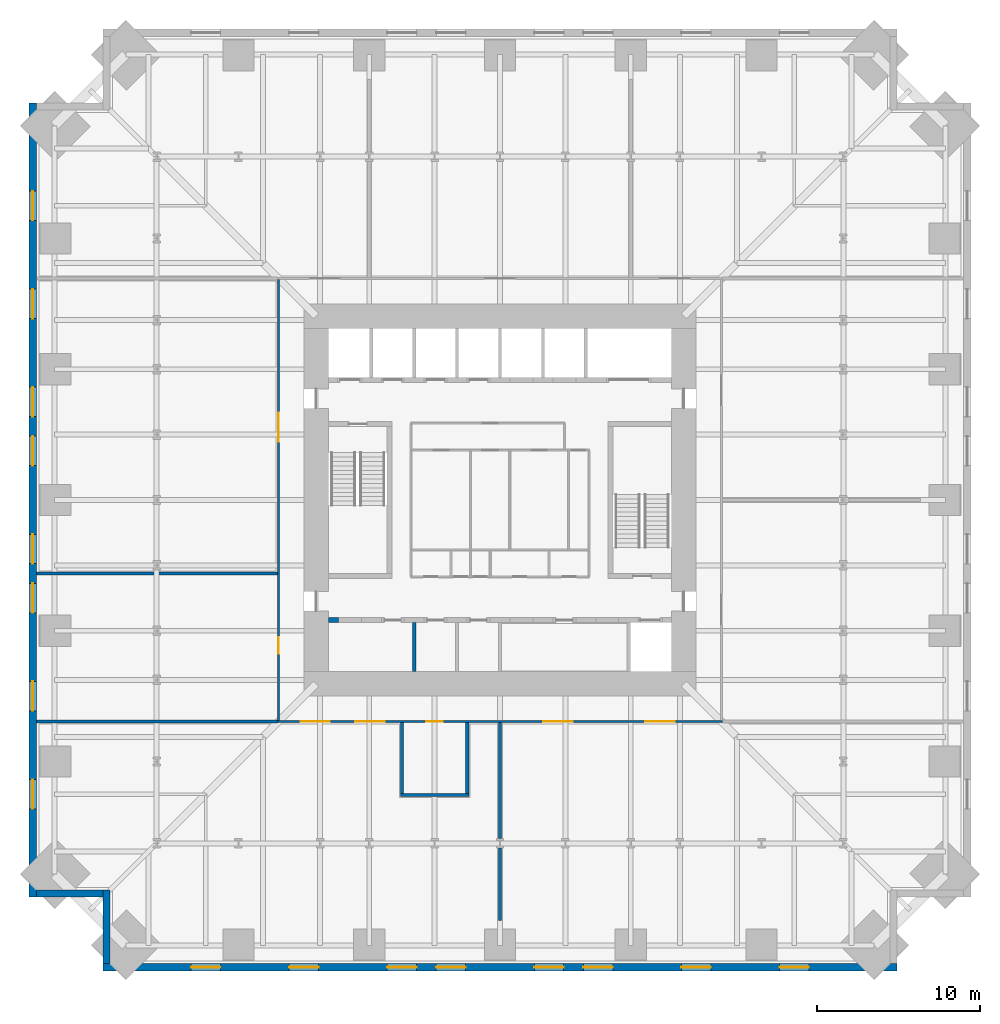
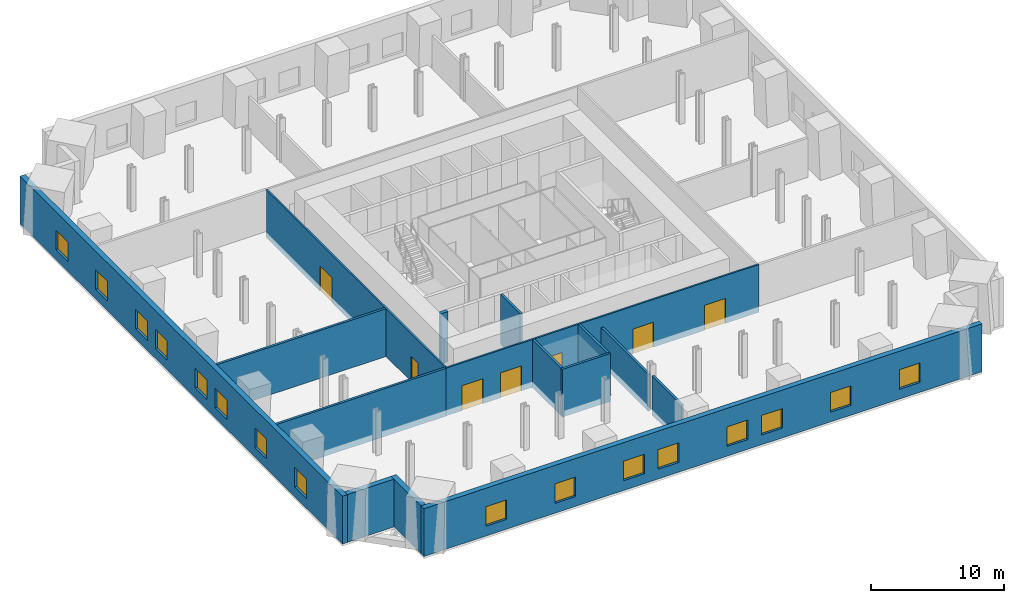
# One storey, part 3 of 8: 16 windows, 15 walls, 7 doors, 23 openings.
"""IFC4 building model written with IfcOpenShell, lengths in metres."""

from ifc_helpers import new_model, si_unit, direction, frame, frame_2d, origin, place, context, subcontext, project, spatial, rectangle, extrude, material, layer, layer_set, type_object, element, fill, save


model = new_model("IFC4")

# Units and contexts
model_context = context("Model", 3, precision=1e-05, world=origin(), true_north=direction((0.0, 1.0)))
body_context = subcontext(model_context, "Body", "Model", "MODEL_VIEW")
ifc_project = project(units=[si_unit("LENGTHUNIT", "METRE"), si_unit("AREAUNIT", "SQUARE_METRE"), si_unit("VOLUMEUNIT", "CUBIC_METRE"), si_unit("PLANEANGLEUNIT", "RADIAN"), si_unit("MASSUNIT", "GRAM", prefix="KILO")], contexts=[model_context])

# Site, building, storey
site_placement = place(None, origin())
site = spatial("IfcSite", under=ifc_project, at=site_placement, CompositionType="ELEMENT")
building_placement = place(site_placement, origin())
building = spatial("IfcBuilding", under=site, at=building_placement, Name="Peilmerk Tower", CompositionType="ELEMENT")
storey_placement = place(building_placement, frame((0.0, 0.0, 90.60009765625)))
storey = spatial("IfcBuildingStorey", under=building, at=storey_placement, Name="L17", CompositionType="ELEMENT", Elevation=90.60009765625)

# Wall, openings, windows
ifc_material_1 = material(Name="Precast concrete C45/55, board-marked finish", Category="concrete")
ifc_layer_1 = layer(ifc_material_1, 0.449951171875)
ifc_layer_set_1 = layer_set([ifc_layer_1], Name="Precast concrete C45/55, board-marked finish")
wall_type_1 = type_object("IfcWallType", Name="EW1 450 precast concrete facade wall, board-marked", PredefinedType="SOLIDWALL", material=ifc_layer_set_1)
wall_1_placement = place(storey_placement, frame((-24.300048828125, -28.574951171875, 0.0), z_axis=(0.0, 0.0, 1.0), x_axis=(1.0, 0.0, 0.0)))
wall_1 = element("IfcWall", 1, at=wall_1_placement, inside=storey, type_object=wall_type_1, Name="Facade wall S L17", PredefinedType="SOLIDWALL", context=body_context, shape_type="SweptSolid", body=[
    extrude(rectangle(XDim=48.60009765625, YDim=0.449951171875, at=frame_2d((24.300048828125, 0.0))), origin(), (0.0, 0.0, 1.0), 4.39990234375),
])
opening_1_placement = place(wall_1_placement, frame((5.39990234375, 0.0, 0.89990234375)))
opening_1 = element("IfcOpeningElement", 2, at=opening_1_placement, cuts=wall_1, Name="Opening W3", PredefinedType="OPENING", context=body_context, shape_type="SweptSolid", body=[
    extrude(rectangle(XDim=1.800048828125, YDim=1.800048828125, at=frame_2d((0.89990234375, 0.89990234375))), frame((0.0, 0.23486328125, 0.0), z_axis=(0.0, -1.0, 0.0), x_axis=(1.0, 0.0, 0.0)), (0.0, 0.0, 1.0), 0.469970703125),
])
opening_2_placement = place(wall_1_placement, frame((11.39990234375, 0.0, 0.89990234375)))
opening_2 = element("IfcOpeningElement", 3, at=opening_2_placement, cuts=wall_1, Name="Opening W3", PredefinedType="OPENING", context=body_context, shape_type="SweptSolid", body=[
    extrude(rectangle(XDim=1.800048828125, YDim=1.800048828125, at=frame_2d((0.89990234375, 0.89990234375))), frame((0.0, 0.23486328125, 0.0), z_axis=(0.0, -1.0, 0.0), x_axis=(1.0, 0.0, 0.0)), (0.0, 0.0, 1.0), 0.469970703125),
])
opening_3_placement = place(wall_1_placement, frame((17.39990234375, 0.0, 0.89990234375)))
opening_3 = element("IfcOpeningElement", 4, at=opening_3_placement, cuts=wall_1, Name="Opening W3", PredefinedType="OPENING", context=body_context, shape_type="SweptSolid", body=[
    extrude(rectangle(XDim=1.800048828125, YDim=1.800048828125, at=frame_2d((0.89990234375, 0.89990234375))), frame((0.0, 0.23486328125, 0.0), z_axis=(0.0, -1.0, 0.0), x_axis=(1.0, 0.0, 0.0)), (0.0, 0.0, 1.0), 0.469970703125),
])
opening_4_placement = place(wall_1_placement, frame((20.39990234375, 0.0, 0.89990234375)))
opening_4 = element("IfcOpeningElement", 5, at=opening_4_placement, cuts=wall_1, Name="Opening W3", PredefinedType="OPENING", context=body_context, shape_type="SweptSolid", body=[
    extrude(rectangle(XDim=1.800048828125, YDim=1.800048828125, at=frame_2d((0.89990234375, 0.89990234375))), frame((0.0, 0.23486328125, 0.0), z_axis=(0.0, -1.0, 0.0), x_axis=(1.0, 0.0, 0.0)), (0.0, 0.0, 1.0), 0.469970703125),
])
opening_5_placement = place(wall_1_placement, frame((26.39990234375, 0.0, 0.89990234375)))
opening_5 = element("IfcOpeningElement", 6, at=opening_5_placement, cuts=wall_1, Name="Opening W3", PredefinedType="OPENING", context=body_context, shape_type="SweptSolid", body=[
    extrude(rectangle(XDim=1.800048828125, YDim=1.800048828125, at=frame_2d((0.89990234375, 0.89990234375))), frame((0.0, 0.23486328125, 0.0), z_axis=(0.0, -1.0, 0.0), x_axis=(1.0, 0.0, 0.0)), (0.0, 0.0, 1.0), 0.469970703125),
])
opening_6_placement = place(wall_1_placement, frame((29.39990234375, 0.0, 0.89990234375)))
opening_6 = element("IfcOpeningElement", 7, at=opening_6_placement, cuts=wall_1, Name="Opening W3", PredefinedType="OPENING", context=body_context, shape_type="SweptSolid", body=[
    extrude(rectangle(XDim=1.800048828125, YDim=1.800048828125, at=frame_2d((0.89990234375, 0.89990234375))), frame((0.0, 0.23486328125, 0.0), z_axis=(0.0, -1.0, 0.0), x_axis=(1.0, 0.0, 0.0)), (0.0, 0.0, 1.0), 0.469970703125),
])
opening_7_placement = place(wall_1_placement, frame((35.39990234375, 0.0, 0.89990234375)))
opening_7 = element("IfcOpeningElement", 8, at=opening_7_placement, cuts=wall_1, Name="Opening W3", PredefinedType="OPENING", context=body_context, shape_type="SweptSolid", body=[
    extrude(rectangle(XDim=1.800048828125, YDim=1.800048828125, at=frame_2d((0.89990234375, 0.89990234375))), frame((0.0, 0.23486328125, 0.0), z_axis=(0.0, -1.0, 0.0), x_axis=(1.0, 0.0, 0.0)), (0.0, 0.0, 1.0), 0.469970703125),
])
opening_8_placement = place(wall_1_placement, frame((41.39990234375, 0.0, 0.89990234375)))
opening_8 = element("IfcOpeningElement", 9, at=opening_8_placement, cuts=wall_1, Name="Opening W3", PredefinedType="OPENING", context=body_context, shape_type="SweptSolid", body=[
    extrude(rectangle(XDim=1.800048828125, YDim=1.800048828125, at=frame_2d((0.89990234375, 0.89990234375))), frame((0.0, 0.23486328125, 0.0), z_axis=(0.0, -1.0, 0.0), x_axis=(1.0, 0.0, 0.0)), (0.0, 0.0, 1.0), 0.469970703125),
])
ifc_material_2 = material(Name="Aluminium frame, clear double glazing", Category="aluminium")
window_type = type_object("IfcWindowType", Name="W3 1800x1800 telecom floor window", PartitioningType="SINGLE_PANEL", PredefinedType="WINDOW", material=ifc_material_2)
window_1_placement = place(opening_1_placement, origin())
window_1 = element("IfcWindow", 10, at=window_1_placement, inside=storey, type_object=window_type, Name="Window W3 L17", OverallHeight=1.800048828125, OverallWidth=1.800048828125, PartitioningType="SINGLE_PANEL", PredefinedType="WINDOW", context=body_context, shape_type="SweptSolid", body=[
    extrude(rectangle(XDim=1.800048828125, YDim=1.800048828125, at=frame_2d((0.89990234375, 0.89990234375))), frame((0.0, 0.030029296875, 0.0), z_axis=(0.0, -1.0, 0.0), x_axis=(1.0, 0.0, 0.0)), (0.0, 0.0, 1.0), 0.06005859375),
])
fill(opening_1, window_1)
window_2_placement = place(opening_2_placement, origin())
window_2 = element("IfcWindow", 11, at=window_2_placement, inside=storey, type_object=window_type, Name="Window W3 L17", OverallHeight=1.800048828125, OverallWidth=1.800048828125, PartitioningType="SINGLE_PANEL", PredefinedType="WINDOW", context=body_context, shape_type="SweptSolid", body=[
    extrude(rectangle(XDim=1.800048828125, YDim=1.800048828125, at=frame_2d((0.89990234375, 0.89990234375))), frame((0.0, 0.030029296875, 0.0), z_axis=(0.0, -1.0, 0.0), x_axis=(1.0, 0.0, 0.0)), (0.0, 0.0, 1.0), 0.06005859375),
])
fill(opening_2, window_2)
window_3_placement = place(opening_3_placement, origin())
window_3 = element("IfcWindow", 12, at=window_3_placement, inside=storey, type_object=window_type, Name="Window W3 L17", OverallHeight=1.800048828125, OverallWidth=1.800048828125, PartitioningType="SINGLE_PANEL", PredefinedType="WINDOW", context=body_context, shape_type="SweptSolid", body=[
    extrude(rectangle(XDim=1.800048828125, YDim=1.800048828125, at=frame_2d((0.89990234375, 0.89990234375))), frame((0.0, 0.030029296875, 0.0), z_axis=(0.0, -1.0, 0.0), x_axis=(1.0, 0.0, 0.0)), (0.0, 0.0, 1.0), 0.06005859375),
])
fill(opening_3, window_3)
window_4_placement = place(opening_4_placement, origin())
window_4 = element("IfcWindow", 13, at=window_4_placement, inside=storey, type_object=window_type, Name="Window W3 L17", OverallHeight=1.800048828125, OverallWidth=1.800048828125, PartitioningType="SINGLE_PANEL", PredefinedType="WINDOW", context=body_context, shape_type="SweptSolid", body=[
    extrude(rectangle(XDim=1.800048828125, YDim=1.800048828125, at=frame_2d((0.89990234375, 0.89990234375))), frame((0.0, 0.030029296875, 0.0), z_axis=(0.0, -1.0, 0.0), x_axis=(1.0, 0.0, 0.0)), (0.0, 0.0, 1.0), 0.06005859375),
])
fill(opening_4, window_4)
window_5_placement = place(opening_5_placement, origin())
window_5 = element("IfcWindow", 14, at=window_5_placement, inside=storey, type_object=window_type, Name="Window W3 L17", OverallHeight=1.800048828125, OverallWidth=1.800048828125, PartitioningType="SINGLE_PANEL", PredefinedType="WINDOW", context=body_context, shape_type="SweptSolid", body=[
    extrude(rectangle(XDim=1.800048828125, YDim=1.800048828125, at=frame_2d((0.89990234375, 0.89990234375))), frame((0.0, 0.030029296875, 0.0), z_axis=(0.0, -1.0, 0.0), x_axis=(1.0, 0.0, 0.0)), (0.0, 0.0, 1.0), 0.06005859375),
])
fill(opening_5, window_5)
window_6_placement = place(opening_6_placement, origin())
window_6 = element("IfcWindow", 15, at=window_6_placement, inside=storey, type_object=window_type, Name="Window W3 L17", OverallHeight=1.800048828125, OverallWidth=1.800048828125, PartitioningType="SINGLE_PANEL", PredefinedType="WINDOW", context=body_context, shape_type="SweptSolid", body=[
    extrude(rectangle(XDim=1.800048828125, YDim=1.800048828125, at=frame_2d((0.89990234375, 0.89990234375))), frame((0.0, 0.030029296875, 0.0), z_axis=(0.0, -1.0, 0.0), x_axis=(1.0, 0.0, 0.0)), (0.0, 0.0, 1.0), 0.06005859375),
])
fill(opening_6, window_6)
window_7_placement = place(opening_7_placement, origin())
window_7 = element("IfcWindow", 16, at=window_7_placement, inside=storey, type_object=window_type, Name="Window W3 L17", OverallHeight=1.800048828125, OverallWidth=1.800048828125, PartitioningType="SINGLE_PANEL", PredefinedType="WINDOW", context=body_context, shape_type="SweptSolid", body=[
    extrude(rectangle(XDim=1.800048828125, YDim=1.800048828125, at=frame_2d((0.89990234375, 0.89990234375))), frame((0.0, 0.030029296875, 0.0), z_axis=(0.0, -1.0, 0.0), x_axis=(1.0, 0.0, 0.0)), (0.0, 0.0, 1.0), 0.06005859375),
])
fill(opening_7, window_7)
window_8_placement = place(opening_8_placement, origin())
window_8 = element("IfcWindow", 17, at=window_8_placement, inside=storey, type_object=window_type, Name="Window W3 L17", OverallHeight=1.800048828125, OverallWidth=1.800048828125, PartitioningType="SINGLE_PANEL", PredefinedType="WINDOW", context=body_context, shape_type="SweptSolid", body=[
    extrude(rectangle(XDim=1.800048828125, YDim=1.800048828125, at=frame_2d((0.89990234375, 0.89990234375))), frame((0.0, 0.030029296875, 0.0), z_axis=(0.0, -1.0, 0.0), x_axis=(1.0, 0.0, 0.0)), (0.0, 0.0, 1.0), 0.06005859375),
])
fill(opening_8, window_8)

wall_2_placement = place(storey_placement, frame((-28.574951171875, 24.300048828125, 0.0), z_axis=(0.0, 0.0, 1.0), x_axis=(0.0, -1.0, 0.0)))
wall_2 = element("IfcWall", 18, at=wall_2_placement, inside=storey, type_object=wall_type_1, Name="Facade wall W L17", PredefinedType="SOLIDWALL", context=body_context, shape_type="SweptSolid", body=[
    extrude(rectangle(XDim=48.60009765625, YDim=0.449951171875, at=frame_2d((24.300048828125, 0.0))), origin(), (0.0, 0.0, 1.0), 4.39990234375),
])
opening_9_placement = place(wall_2_placement, frame((5.39990234375, 0.0, 0.89990234375)))
opening_9 = element("IfcOpeningElement", 19, at=opening_9_placement, cuts=wall_2, Name="Opening W3", PredefinedType="OPENING", context=body_context, shape_type="SweptSolid", body=[
    extrude(rectangle(XDim=1.800048828125, YDim=1.800048828125, at=frame_2d((0.89990234375, 0.89990234375))), frame((0.0, 0.23486328125, 0.0), z_axis=(0.0, -1.0, 0.0), x_axis=(1.0, 0.0, 0.0)), (0.0, 0.0, 1.0), 0.469970703125),
])
opening_10_placement = place(wall_2_placement, frame((11.39990234375, 0.0, 0.89990234375)))
opening_10 = element("IfcOpeningElement", 20, at=opening_10_placement, cuts=wall_2, Name="Opening W3", PredefinedType="OPENING", context=body_context, shape_type="SweptSolid", body=[
    extrude(rectangle(XDim=1.800048828125, YDim=1.800048828125, at=frame_2d((0.89990234375, 0.89990234375))), frame((0.0, 0.23486328125, 0.0), z_axis=(0.0, -1.0, 0.0), x_axis=(1.0, 0.0, 0.0)), (0.0, 0.0, 1.0), 0.469970703125),
])
opening_11_placement = place(wall_2_placement, frame((17.39990234375, 0.0, 0.89990234375)))
opening_11 = element("IfcOpeningElement", 21, at=opening_11_placement, cuts=wall_2, Name="Opening W3", PredefinedType="OPENING", context=body_context, shape_type="SweptSolid", body=[
    extrude(rectangle(XDim=1.800048828125, YDim=1.800048828125, at=frame_2d((0.89990234375, 0.89990234375))), frame((0.0, 0.23486328125, 0.0), z_axis=(0.0, -1.0, 0.0), x_axis=(1.0, 0.0, 0.0)), (0.0, 0.0, 1.0), 0.469970703125),
])
opening_12_placement = place(wall_2_placement, frame((20.39990234375, 0.0, 0.89990234375)))
opening_12 = element("IfcOpeningElement", 22, at=opening_12_placement, cuts=wall_2, Name="Opening W3", PredefinedType="OPENING", context=body_context, shape_type="SweptSolid", body=[
    extrude(rectangle(XDim=1.800048828125, YDim=1.800048828125, at=frame_2d((0.89990234375, 0.89990234375))), frame((0.0, 0.23486328125, 0.0), z_axis=(0.0, -1.0, 0.0), x_axis=(1.0, 0.0, 0.0)), (0.0, 0.0, 1.0), 0.469970703125),
])
opening_13_placement = place(wall_2_placement, frame((26.39990234375, 0.0, 0.89990234375)))
opening_13 = element("IfcOpeningElement", 23, at=opening_13_placement, cuts=wall_2, Name="Opening W3", PredefinedType="OPENING", context=body_context, shape_type="SweptSolid", body=[
    extrude(rectangle(XDim=1.800048828125, YDim=1.800048828125, at=frame_2d((0.89990234375, 0.89990234375))), frame((0.0, 0.23486328125, 0.0), z_axis=(0.0, -1.0, 0.0), x_axis=(1.0, 0.0, 0.0)), (0.0, 0.0, 1.0), 0.469970703125),
])
opening_14_placement = place(wall_2_placement, frame((29.39990234375, 0.0, 0.89990234375)))
opening_14 = element("IfcOpeningElement", 24, at=opening_14_placement, cuts=wall_2, Name="Opening W3", PredefinedType="OPENING", context=body_context, shape_type="SweptSolid", body=[
    extrude(rectangle(XDim=1.800048828125, YDim=1.800048828125, at=frame_2d((0.89990234375, 0.89990234375))), frame((0.0, 0.23486328125, 0.0), z_axis=(0.0, -1.0, 0.0), x_axis=(1.0, 0.0, 0.0)), (0.0, 0.0, 1.0), 0.469970703125),
])
opening_15_placement = place(wall_2_placement, frame((35.39990234375, 0.0, 0.89990234375)))
opening_15 = element("IfcOpeningElement", 25, at=opening_15_placement, cuts=wall_2, Name="Opening W3", PredefinedType="OPENING", context=body_context, shape_type="SweptSolid", body=[
    extrude(rectangle(XDim=1.800048828125, YDim=1.800048828125, at=frame_2d((0.89990234375, 0.89990234375))), frame((0.0, 0.23486328125, 0.0), z_axis=(0.0, -1.0, 0.0), x_axis=(1.0, 0.0, 0.0)), (0.0, 0.0, 1.0), 0.469970703125),
])
opening_16_placement = place(wall_2_placement, frame((41.39990234375, 0.0, 0.89990234375)))
opening_16 = element("IfcOpeningElement", 26, at=opening_16_placement, cuts=wall_2, Name="Opening W3", PredefinedType="OPENING", context=body_context, shape_type="SweptSolid", body=[
    extrude(rectangle(XDim=1.800048828125, YDim=1.800048828125, at=frame_2d((0.89990234375, 0.89990234375))), frame((0.0, 0.23486328125, 0.0), z_axis=(0.0, -1.0, 0.0), x_axis=(1.0, 0.0, 0.0)), (0.0, 0.0, 1.0), 0.469970703125),
])
window_9_placement = place(opening_9_placement, origin())
window_9 = element("IfcWindow", 27, at=window_9_placement, inside=storey, type_object=window_type, Name="Window W3 L17", OverallHeight=1.800048828125, OverallWidth=1.800048828125, PartitioningType="SINGLE_PANEL", PredefinedType="WINDOW", context=body_context, shape_type="SweptSolid", body=[
    extrude(rectangle(XDim=1.800048828125, YDim=1.800048828125, at=frame_2d((0.89990234375, 0.89990234375))), frame((0.0, 0.030029296875, 0.0), z_axis=(0.0, -1.0, 0.0), x_axis=(1.0, 0.0, 0.0)), (0.0, 0.0, 1.0), 0.06005859375),
])
fill(opening_9, window_9)
window_10_placement = place(opening_10_placement, origin())
window_10 = element("IfcWindow", 28, at=window_10_placement, inside=storey, type_object=window_type, Name="Window W3 L17", OverallHeight=1.800048828125, OverallWidth=1.800048828125, PartitioningType="SINGLE_PANEL", PredefinedType="WINDOW", context=body_context, shape_type="SweptSolid", body=[
    extrude(rectangle(XDim=1.800048828125, YDim=1.800048828125, at=frame_2d((0.89990234375, 0.89990234375))), frame((0.0, 0.030029296875, 0.0), z_axis=(0.0, -1.0, 0.0), x_axis=(1.0, 0.0, 0.0)), (0.0, 0.0, 1.0), 0.06005859375),
])
fill(opening_10, window_10)
window_11_placement = place(opening_11_placement, origin())
window_11 = element("IfcWindow", 29, at=window_11_placement, inside=storey, type_object=window_type, Name="Window W3 L17", OverallHeight=1.800048828125, OverallWidth=1.800048828125, PartitioningType="SINGLE_PANEL", PredefinedType="WINDOW", context=body_context, shape_type="SweptSolid", body=[
    extrude(rectangle(XDim=1.800048828125, YDim=1.800048828125, at=frame_2d((0.89990234375, 0.89990234375))), frame((0.0, 0.030029296875, 0.0), z_axis=(0.0, -1.0, 0.0), x_axis=(1.0, 0.0, 0.0)), (0.0, 0.0, 1.0), 0.06005859375),
])
fill(opening_11, window_11)
window_12_placement = place(opening_12_placement, origin())
window_12 = element("IfcWindow", 30, at=window_12_placement, inside=storey, type_object=window_type, Name="Window W3 L17", OverallHeight=1.800048828125, OverallWidth=1.800048828125, PartitioningType="SINGLE_PANEL", PredefinedType="WINDOW", context=body_context, shape_type="SweptSolid", body=[
    extrude(rectangle(XDim=1.800048828125, YDim=1.800048828125, at=frame_2d((0.89990234375, 0.89990234375))), frame((0.0, 0.030029296875, 0.0), z_axis=(0.0, -1.0, 0.0), x_axis=(1.0, 0.0, 0.0)), (0.0, 0.0, 1.0), 0.06005859375),
])
fill(opening_12, window_12)
window_13_placement = place(opening_13_placement, origin())
window_13 = element("IfcWindow", 31, at=window_13_placement, inside=storey, type_object=window_type, Name="Window W3 L17", OverallHeight=1.800048828125, OverallWidth=1.800048828125, PartitioningType="SINGLE_PANEL", PredefinedType="WINDOW", context=body_context, shape_type="SweptSolid", body=[
    extrude(rectangle(XDim=1.800048828125, YDim=1.800048828125, at=frame_2d((0.89990234375, 0.89990234375))), frame((0.0, 0.030029296875, 0.0), z_axis=(0.0, -1.0, 0.0), x_axis=(1.0, 0.0, 0.0)), (0.0, 0.0, 1.0), 0.06005859375),
])
fill(opening_13, window_13)
window_14_placement = place(opening_14_placement, origin())
window_14 = element("IfcWindow", 32, at=window_14_placement, inside=storey, type_object=window_type, Name="Window W3 L17", OverallHeight=1.800048828125, OverallWidth=1.800048828125, PartitioningType="SINGLE_PANEL", PredefinedType="WINDOW", context=body_context, shape_type="SweptSolid", body=[
    extrude(rectangle(XDim=1.800048828125, YDim=1.800048828125, at=frame_2d((0.89990234375, 0.89990234375))), frame((0.0, 0.030029296875, 0.0), z_axis=(0.0, -1.0, 0.0), x_axis=(1.0, 0.0, 0.0)), (0.0, 0.0, 1.0), 0.06005859375),
])
fill(opening_14, window_14)
window_15_placement = place(opening_15_placement, origin())
window_15 = element("IfcWindow", 33, at=window_15_placement, inside=storey, type_object=window_type, Name="Window W3 L17", OverallHeight=1.800048828125, OverallWidth=1.800048828125, PartitioningType="SINGLE_PANEL", PredefinedType="WINDOW", context=body_context, shape_type="SweptSolid", body=[
    extrude(rectangle(XDim=1.800048828125, YDim=1.800048828125, at=frame_2d((0.89990234375, 0.89990234375))), frame((0.0, 0.030029296875, 0.0), z_axis=(0.0, -1.0, 0.0), x_axis=(1.0, 0.0, 0.0)), (0.0, 0.0, 1.0), 0.06005859375),
])
fill(opening_15, window_15)
window_16_placement = place(opening_16_placement, origin())
window_16 = element("IfcWindow", 34, at=window_16_placement, inside=storey, type_object=window_type, Name="Window W3 L17", OverallHeight=1.800048828125, OverallWidth=1.800048828125, PartitioningType="SINGLE_PANEL", PredefinedType="WINDOW", context=body_context, shape_type="SweptSolid", body=[
    extrude(rectangle(XDim=1.800048828125, YDim=1.800048828125, at=frame_2d((0.89990234375, 0.89990234375))), frame((0.0, 0.030029296875, 0.0), z_axis=(0.0, -1.0, 0.0), x_axis=(1.0, 0.0, 0.0)), (0.0, 0.0, 1.0), 0.06005859375),
])
fill(opening_16, window_16)

# Walls
wall_3_placement = place(storey_placement, frame((-24.074951171875, -23.85009765625, 0.0), z_axis=(0.0, 0.0, 1.0), x_axis=(0.0, -1.0, 0.0)))
element("IfcWall", 35, at=wall_3_placement, inside=storey, type_object=wall_type_1, Name="Facade wall SWA L17", PredefinedType="SOLIDWALL", context=body_context, shape_type="SweptSolid", body=[
    extrude(rectangle(XDim=4.5, YDim=0.449951171875, at=frame_2d((2.25, 0.0))), origin(), (0.0, 0.0, 1.0), 4.39990234375),
])
wall_4_placement = place(storey_placement, frame((-24.300048828125, -24.074951171875, 0.0), z_axis=(0.0, 0.0, 1.0), x_axis=(-1.0, 0.0, 0.0)))
element("IfcWall", 36, at=wall_4_placement, inside=storey, type_object=wall_type_1, Name="Facade wall SWB L17", PredefinedType="SOLIDWALL", context=body_context, shape_type="SweptSolid", body=[
    extrude(rectangle(XDim=4.050048828125, YDim=0.449951171875, at=frame_2d((2.02490234375, 0.0))), origin(), (0.0, 0.0, 1.0), 4.39990234375),
])

# Wall, openings, doors
ifc_material_3 = material(Name="Calcium silicate block", Category="masonry")
ifc_layer_2 = layer(ifc_material_3, 0.14990234375)
ifc_layer_set_2 = layer_set([ifc_layer_2], Name="Calcium silicate block")
wall_type_2 = type_object("IfcWallType", Name="IW1 150 corridor partition, EI 60", PredefinedType="PARTITIONING", material=ifc_layer_set_2)
wall_5_placement = place(storey_placement, frame((13.625, -13.550048828125, 0.0), z_axis=(0.0, 0.0, 1.0), x_axis=(-1.0, 0.0, 0.0)))
wall_5 = element("IfcWall", 37, at=wall_5_placement, inside=storey, type_object=wall_type_2, Name="Corridor wall S L17", PredefinedType="PARTITIONING", context=body_context, shape_type="SweptSolid", body=[
    extrude(rectangle(XDim=27.25, YDim=0.14990234375, at=frame_2d((13.625, 0.0))), origin(), (0.0, 0.0, 1.0), 4.39990234375),
])
opening_17_placement = place(wall_5_placement, frame((24.02490234375, 0.0, 0.0)))
opening_17 = element("IfcOpeningElement", 38, at=opening_17_placement, cuts=wall_5, Name="Opening D2", PredefinedType="OPENING", context=body_context, shape_type="SweptSolid", body=[
    extrude(rectangle(XDim=1.800048828125, YDim=2.300048828125, at=frame_2d((0.89990234375, 1.14990234375))), frame((0.0, 0.0849609375, 0.0), z_axis=(0.0, -1.0, 0.0), x_axis=(1.0, 0.0, 0.0)), (0.0, 0.0, 1.0), 0.169921875),
])
opening_18_placement = place(wall_5_placement, frame((20.675048828125, 0.0, 0.0)))
opening_18 = element("IfcOpeningElement", 39, at=opening_18_placement, cuts=wall_5, Name="Opening D2", PredefinedType="OPENING", context=body_context, shape_type="SweptSolid", body=[
    extrude(rectangle(XDim=1.800048828125, YDim=2.300048828125, at=frame_2d((0.89990234375, 1.14990234375))), frame((0.0, 0.0849609375, 0.0), z_axis=(0.0, -1.0, 0.0), x_axis=(1.0, 0.0, 0.0)), (0.0, 0.0, 1.0), 0.169921875),
])
opening_19_placement = place(wall_5_placement, frame((9.175048828125, 0.0, 0.0)))
opening_19 = element("IfcOpeningElement", 40, at=opening_19_placement, cuts=wall_5, Name="Opening D2", PredefinedType="OPENING", context=body_context, shape_type="SweptSolid", body=[
    extrude(rectangle(XDim=1.800048828125, YDim=2.300048828125, at=frame_2d((0.89990234375, 1.14990234375))), frame((0.0, 0.0849609375, 0.0), z_axis=(0.0, -1.0, 0.0), x_axis=(1.0, 0.0, 0.0)), (0.0, 0.0, 1.0), 0.169921875),
])
opening_20_placement = place(wall_5_placement, frame((2.925048828125, 0.0, 0.0)))
opening_20 = element("IfcOpeningElement", 41, at=opening_20_placement, cuts=wall_5, Name="Opening D2", PredefinedType="OPENING", context=body_context, shape_type="SweptSolid", body=[
    extrude(rectangle(XDim=1.800048828125, YDim=2.300048828125, at=frame_2d((0.89990234375, 1.14990234375))), frame((0.0, 0.0849609375, 0.0), z_axis=(0.0, -1.0, 0.0), x_axis=(1.0, 0.0, 0.0)), (0.0, 0.0, 1.0), 0.169921875),
])
opening_21_placement = place(wall_5_placement, frame((17.125, 0.0, 0.0)))
opening_21 = element("IfcOpeningElement", 42, at=opening_21_placement, cuts=wall_5, Name="Opening D1", PredefinedType="OPENING", context=body_context, shape_type="SweptSolid", body=[
    extrude(rectangle(XDim=1.0, YDim=2.300048828125, at=frame_2d((0.5, 1.14990234375))), frame((0.0, 0.0849609375, 0.0), z_axis=(0.0, -1.0, 0.0), x_axis=(1.0, 0.0, 0.0)), (0.0, 0.0, 1.0), 0.169921875),
])
ifc_material_4 = material(Name="Timber door in steel frame", Category="steel")
door_type_1 = type_object("IfcDoorType", Name="D1 1000x2300 room door, EI2 30", OperationType="SINGLE_SWING_LEFT", PredefinedType="DOOR", material=ifc_material_4)
door_1_placement = place(opening_21_placement, origin())
door_1 = element("IfcDoor", 43, at=door_1_placement, inside=storey, type_object=door_type_1, Name="Door Operations office L17", OperationType="SINGLE_SWING_LEFT", OverallHeight=2.300048828125, OverallWidth=1.0, PredefinedType="DOOR", context=body_context, shape_type="SweptSolid", body=[
    extrude(rectangle(XDim=1.0, YDim=2.300048828125, at=frame_2d((0.5, 1.14990234375))), frame((0.0, 0.02490234375, 0.0), z_axis=(0.0, -1.0, 0.0), x_axis=(1.0, 0.0, 0.0)), (0.0, 0.0, 1.0), 0.050048828125),
])
fill(opening_21, door_1)
ifc_material_5 = material(Name="Steel door in steel frame", Category="steel")
door_type_2 = type_object("IfcDoorType", Name="D2 1800x2300 double door, EI2 60", OperationType="DOUBLE_DOOR_DOUBLE_SWING", PredefinedType="DOOR", material=ifc_material_5)
door_2_placement = place(opening_17_placement, origin())
door_2 = element("IfcDoor", 44, at=door_2_placement, inside=storey, type_object=door_type_2, Name="Door Carrier room A L17", OperationType="DOUBLE_DOOR_DOUBLE_SWING", OverallHeight=2.300048828125, OverallWidth=1.800048828125, PredefinedType="DOOR", context=body_context, shape_type="SweptSolid", body=[
    extrude(rectangle(XDim=1.800048828125, YDim=2.300048828125, at=frame_2d((0.89990234375, 1.14990234375))), frame((0.0, 0.02490234375, 0.0), z_axis=(0.0, -1.0, 0.0), x_axis=(1.0, 0.0, 0.0)), (0.0, 0.0, 1.0), 0.050048828125),
])
fill(opening_17, door_2)
door_3_placement = place(opening_18_placement, origin())
door_3 = element("IfcDoor", 45, at=door_3_placement, inside=storey, type_object=door_type_2, Name="Door Carrier room A L17", OperationType="DOUBLE_DOOR_DOUBLE_SWING", OverallHeight=2.300048828125, OverallWidth=1.800048828125, PredefinedType="DOOR", context=body_context, shape_type="SweptSolid", body=[
    extrude(rectangle(XDim=1.800048828125, YDim=2.300048828125, at=frame_2d((0.89990234375, 1.14990234375))), frame((0.0, 0.02490234375, 0.0), z_axis=(0.0, -1.0, 0.0), x_axis=(1.0, 0.0, 0.0)), (0.0, 0.0, 1.0), 0.050048828125),
])
fill(opening_18, door_3)
door_4_placement = place(opening_19_placement, origin())
door_4 = element("IfcDoor", 46, at=door_4_placement, inside=storey, type_object=door_type_2, Name="Door Carrier room B L17", OperationType="DOUBLE_DOOR_DOUBLE_SWING", OverallHeight=2.300048828125, OverallWidth=1.800048828125, PredefinedType="DOOR", context=body_context, shape_type="SweptSolid", body=[
    extrude(rectangle(XDim=1.800048828125, YDim=2.300048828125, at=frame_2d((0.89990234375, 1.14990234375))), frame((0.0, 0.02490234375, 0.0), z_axis=(0.0, -1.0, 0.0), x_axis=(1.0, 0.0, 0.0)), (0.0, 0.0, 1.0), 0.050048828125),
])
fill(opening_19, door_4)
door_5_placement = place(opening_20_placement, origin())
door_5 = element("IfcDoor", 47, at=door_5_placement, inside=storey, type_object=door_type_2, Name="Door Carrier room B L17", OperationType="DOUBLE_DOOR_DOUBLE_SWING", OverallHeight=2.300048828125, OverallWidth=1.800048828125, PredefinedType="DOOR", context=body_context, shape_type="SweptSolid", body=[
    extrude(rectangle(XDim=1.800048828125, YDim=2.300048828125, at=frame_2d((0.89990234375, 1.14990234375))), frame((0.0, 0.02490234375, 0.0), z_axis=(0.0, -1.0, 0.0), x_axis=(1.0, 0.0, 0.0)), (0.0, 0.0, 1.0), 0.050048828125),
])
fill(opening_20, door_5)

wall_6_placement = place(storey_placement, frame((-13.550048828125, 13.47509765625, 0.0), z_axis=(0.0, 0.0, 1.0), x_axis=(0.0, -1.0, 0.0)))
wall_6 = element("IfcWall", 48, at=wall_6_placement, inside=storey, type_object=wall_type_2, Name="Corridor wall W L17", PredefinedType="PARTITIONING", context=body_context, shape_type="SweptSolid", body=[
    extrude(rectangle(XDim=26.9501953125, YDim=0.14990234375, at=frame_2d((13.47509765625, 0.0))), origin(), (0.0, 0.0, 1.0), 4.39990234375),
])
opening_22_placement = place(wall_6_placement, frame((21.875, 0.0, 0.0)))
opening_22 = element("IfcOpeningElement", 49, at=opening_22_placement, cuts=wall_6, Name="Opening D1", PredefinedType="OPENING", context=body_context, shape_type="SweptSolid", body=[
    extrude(rectangle(XDim=1.0, YDim=2.300048828125, at=frame_2d((0.5, 1.14990234375))), frame((0.0, 0.0849609375, 0.0), z_axis=(0.0, -1.0, 0.0), x_axis=(1.0, 0.0, 0.0)), (0.0, 0.0, 1.0), 0.169921875),
])
opening_23_placement = place(wall_6_placement, frame((8.125, 0.0, 0.0)))
opening_23 = element("IfcOpeningElement", 50, at=opening_23_placement, cuts=wall_6, Name="Opening D2", PredefinedType="OPENING", context=body_context, shape_type="SweptSolid", body=[
    extrude(rectangle(XDim=1.800048828125, YDim=2.300048828125, at=frame_2d((0.89990234375, 1.14990234375))), frame((0.0, 0.0849609375, 0.0), z_axis=(0.0, -1.0, 0.0), x_axis=(1.0, 0.0, 0.0)), (0.0, 0.0, 1.0), 0.169921875),
])
door_6_placement = place(opening_22_placement, frame((1.0, 0.0, 0.0), z_axis=(0.0, 0.0, 1.0), x_axis=(-1.0, 0.0, 0.0)))
door_6 = element("IfcDoor", 51, at=door_6_placement, inside=storey, type_object=door_type_1, Name="Door Splicing room L17", OperationType="SINGLE_SWING_LEFT", OverallHeight=2.300048828125, OverallWidth=1.0, PredefinedType="DOOR", context=body_context, shape_type="SweptSolid", body=[
    extrude(rectangle(XDim=1.0, YDim=2.300048828125, at=frame_2d((0.5, 1.14990234375))), frame((0.0, 0.02490234375, 0.0), z_axis=(0.0, -1.0, 0.0), x_axis=(1.0, 0.0, 0.0)), (0.0, 0.0, 1.0), 0.050048828125),
])
fill(opening_22, door_6)
door_7_placement = place(opening_23_placement, frame((1.800048828125, 0.0, 0.0), z_axis=(0.0, 0.0, 1.0), x_axis=(-1.0, 0.0, 0.0)))
door_7 = element("IfcDoor", 52, at=door_7_placement, inside=storey, type_object=door_type_2, Name="Door Fibre distribution room L17", OperationType="DOUBLE_DOOR_DOUBLE_SWING", OverallHeight=2.300048828125, OverallWidth=1.800048828125, PredefinedType="DOOR", context=body_context, shape_type="SweptSolid", body=[
    extrude(rectangle(XDim=1.800048828125, YDim=2.300048828125, at=frame_2d((0.89990234375, 1.14990234375))), frame((0.0, 0.02490234375, 0.0), z_axis=(0.0, -1.0, 0.0), x_axis=(1.0, 0.0, 0.0)), (0.0, 0.0, 1.0), 0.050048828125),
])
fill(opening_23, door_7)

# Walls
ifc_layer_3 = layer(ifc_material_3, 0.199951171875)
ifc_layer_set_3 = layer_set([ifc_layer_3], Name="Calcium silicate block")
wall_type_3 = type_object("IfcWallType", Name="IW2 200 room separating wall, EI 120", PredefinedType="PARTITIONING", material=ifc_layer_set_3)
wall_7_placement = place(storey_placement, frame((-13.625, -13.550048828125, 0.0), z_axis=(0.0, 0.0, 1.0), x_axis=(-1.0, 0.0, 0.0)))
element("IfcWall", 53, at=wall_7_placement, inside=storey, type_object=wall_type_3, Name="Room separating wall SW L17", PredefinedType="PARTITIONING", context=body_context, shape_type="SweptSolid", body=[
    extrude(rectangle(XDim=14.72509765625, YDim=0.199951171875, at=frame_2d((7.362548828125, 0.0))), origin(), (0.0, 0.0, 1.0), 4.39990234375),
])
wall_8_placement = place(storey_placement, frame((0.0, -13.625, 0.0), z_axis=(0.0, 0.0, 1.0), x_axis=(0.0, -1.0, 0.0)))
element("IfcWall", 54, at=wall_8_placement, inside=storey, type_object=wall_type_3, Name="Room separating wall S1 L17", PredefinedType="PARTITIONING", context=body_context, shape_type="SweptSolid", body=[
    extrude(rectangle(XDim=7.090576171875, YDim=0.199951171875, at=frame_2d((3.54541015625, 0.0))), origin(), (0.0, 0.0, 1.0), 3.391845703125),
])
wall_9_placement = place(storey_placement, frame((0.0, -21.284423828125, 0.0), z_axis=(0.0, 0.0, 1.0), x_axis=(0.0, -1.0, 0.0)))
element("IfcWall", 55, at=wall_9_placement, inside=storey, type_object=wall_type_3, Name="Room separating wall S1b L17", PredefinedType="PARTITIONING", context=body_context, shape_type="SweptSolid", body=[
    extrude(rectangle(XDim=4.43017578125, YDim=0.199951171875, at=frame_2d((2.215087890625, 0.0))), origin(), (0.0, 0.0, 1.0), 3.60986328125),
])
wall_10_placement = place(storey_placement, frame((-13.625, -4.5, 0.0), z_axis=(0.0, 0.0, 1.0), x_axis=(-1.0, 0.0, 0.0)))
element("IfcWall", 56, at=wall_10_placement, inside=storey, type_object=wall_type_3, Name="Room separating wall W1 L17", PredefinedType="PARTITIONING", context=body_context, shape_type="SweptSolid", body=[
    extrude(rectangle(XDim=14.72509765625, YDim=0.199951171875, at=frame_2d((7.362548828125, 0.0))), origin(), (0.0, 0.0, 1.0), 4.39990234375),
])
wall_11_placement = place(storey_placement, frame((-6.10009765625, -18.050048828125, 0.0), z_axis=(0.0, 0.0, 1.0), x_axis=(1.0, 0.0, 0.0)))
element("IfcWall", 57, at=wall_11_placement, inside=storey, type_object=wall_type_3, Name="Room separating wall Operations office L17", PredefinedType="PARTITIONING", context=body_context, shape_type="SweptSolid", body=[
    extrude(rectangle(XDim=4.2001953125, YDim=0.199951171875, at=frame_2d((2.10009765625, 0.0))), origin(), (0.0, 0.0, 1.0), 4.39990234375),
])
for number, where, z_axis, x_axis, name in (
    (58, (-6.0, -13.625, 0.0), (0.0, 0.0, 1.0), (0.0, -1.0, 0.0), "Room separating wall Operations office L17"),
    (59, (-2.0, -13.625, 0.0), (0.0, 0.0, 1.0), (0.0, -1.0, 0.0), "Room separating wall Operations office L17"),
):
    element("IfcWall", number, at=place(storey_placement, frame(where, z_axis=z_axis, x_axis=x_axis)), inside=storey, type_object=wall_type_3, Name=name, PredefinedType="PARTITIONING", context=body_context, shape_type="SweptSolid", body=[
        extrude(rectangle(XDim=4.324951171875, YDim=0.199951171875, at=frame_2d((2.16259765625, 0.0))), origin(), (0.0, 0.0, 1.0), 4.39990234375),
    ])
ifc_layer_4 = layer(ifc_material_3, 0.199951171875)
ifc_layer_set_4 = layer_set([ifc_layer_4], Name="Calcium silicate block")
wall_type_4 = type_object("IfcWallType", Name="SH1 200 shaft dividing wall, EI 120", PredefinedType="PARTITIONING", material=ifc_layer_set_4)
wall_12_placement = place(storey_placement, frame((-5.25, -10.5, 0.0), z_axis=(0.0, 0.0, 1.0), x_axis=(0.0, 1.0, 0.0)))
element("IfcWall", 60, at=wall_12_placement, inside=storey, type_object=wall_type_4, Name="Shaft wall S C3 L17", PredefinedType="PARTITIONING", context=body_context, shape_type="SweptSolid", body=[
    extrude(rectangle(XDim=3.0, YDim=0.199951171875, at=frame_2d((1.5, 0.0))), origin(), (0.0, 0.0, 1.0), 4.599853515625),
])
ifc_material_6 = material(Name="Concrete C55/67", Category="concrete")
ifc_layer_5 = layer(ifc_material_6, 0.300048828125)
ifc_layer_set_5 = layer_set([ifc_layer_5], Name="Concrete C55/67")
wall_type_5 = type_object("IfcWallType", Name="SW2 300 lift bank pier", PredefinedType="SHEAR", material=ifc_layer_set_5)
wall_13_placement = place(storey_placement, frame((-10.5, -7.35009765625, 0.0), z_axis=(0.0, 0.0, 1.0), x_axis=(1.0, 0.0, 0.0)))
element("IfcWall", 61, at=wall_13_placement, inside=storey, type_object=wall_type_5, Name="Lift bank pier S L17", PredefinedType="SHEAR", context=body_context, shape_type="SweptSolid", body=[
    extrude(rectangle(XDim=0.612548828125, YDim=0.300048828125, at=frame_2d((0.30615234375, 0.0))), origin(), (0.0, 0.0, 1.0), 4.599853515625),
])

save(model, "model.ifc")
